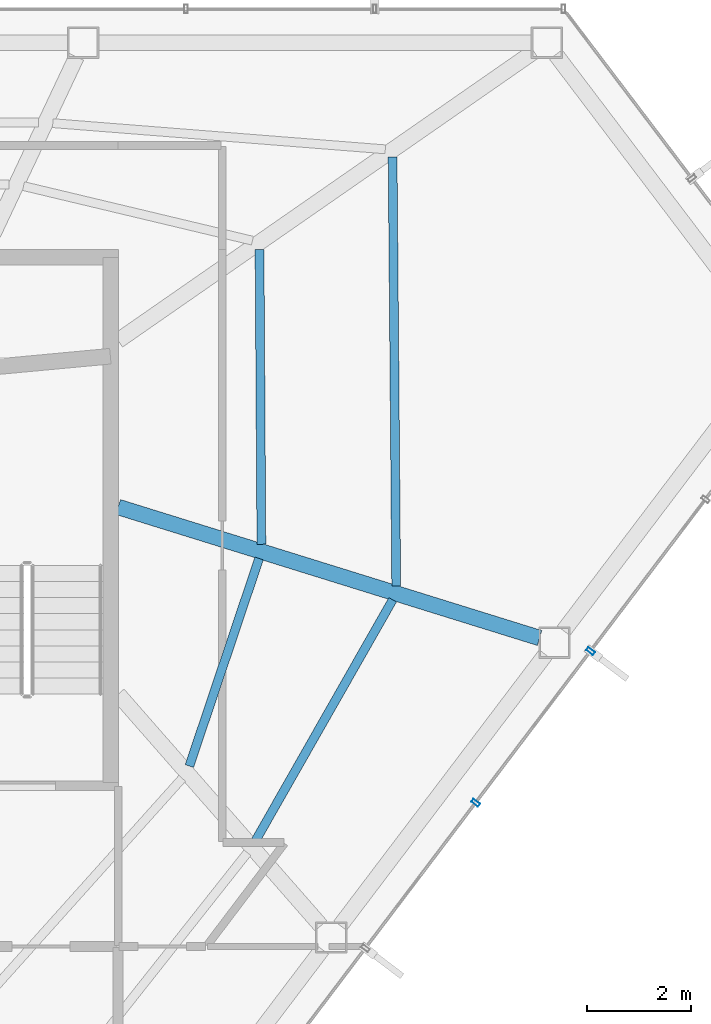
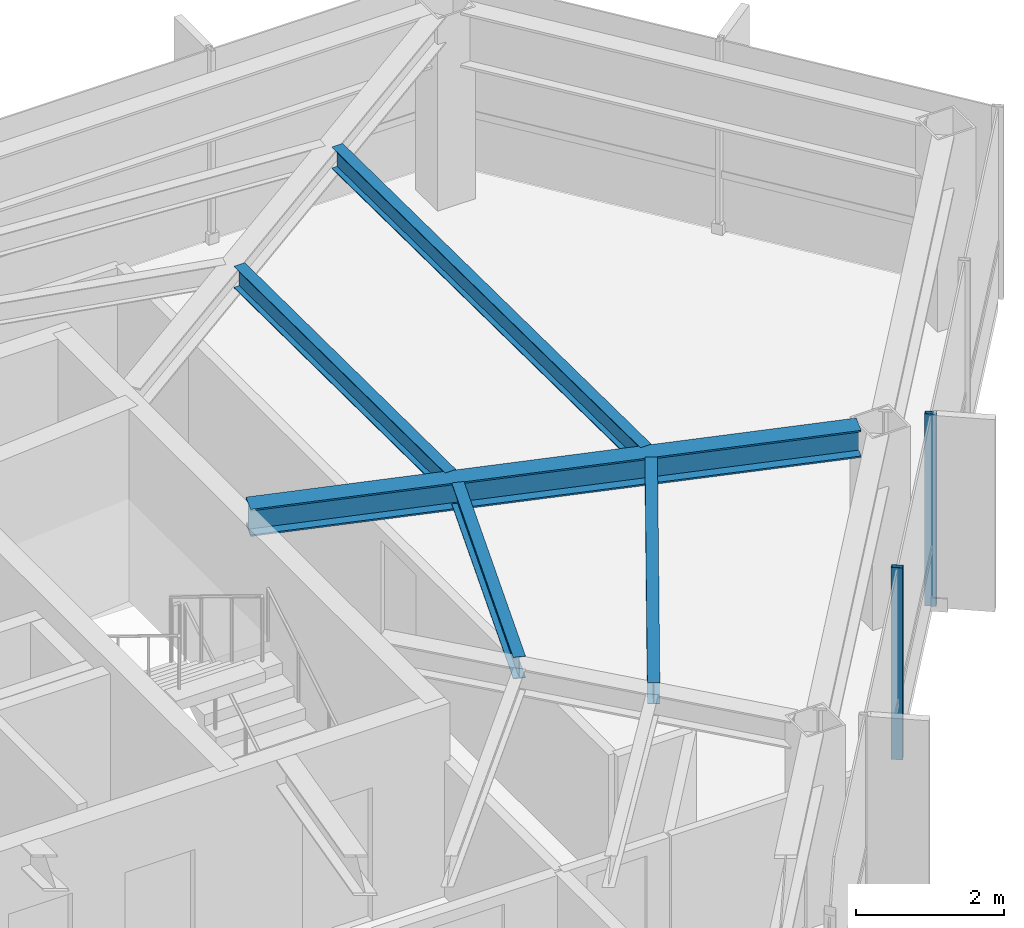
# One storey, part 19 of 27: 5 beams, 2 members, 1 element without a shape of its own.
"""IFC4 building model written with IfcOpenShell, lengths in metres."""

from ifc_helpers import new_model, si_unit, direction, frame, origin, origin_2d, place, context, subcontext, project, spatial, hollow_rectangle, i_section, extrude, material, layer, layer_set, material_profile, profile_set, type_object, element, aggregate, save


model = new_model("IFC4")

# Units and contexts
model_context = context("Model", 3, precision=1e-05, world=origin(), true_north=direction((0.0, 1.0)))
body_context = subcontext(model_context, "Body", "Model", "MODEL_VIEW")
ifc_project = project(units=[si_unit("LENGTHUNIT", "METRE"), si_unit("AREAUNIT", "SQUARE_METRE"), si_unit("VOLUMEUNIT", "CUBIC_METRE"), si_unit("PLANEANGLEUNIT", "RADIAN"), si_unit("MASSUNIT", "GRAM", prefix="KILO")], contexts=[model_context])

# Site, building, storey
site_placement = place(None, origin())
site = spatial("IfcSite", under=ifc_project, at=site_placement, CompositionType="ELEMENT")
building_placement = place(site_placement, origin())
building = spatial("IfcBuilding", under=site, at=building_placement, Name="Zarrinselat Tower", CompositionType="ELEMENT")
storey_placement = place(building_placement, frame((0.0, 0.0, 232.56005859375)))
storey = spatial("IfcBuildingStorey", under=building, at=storey_placement, Name="L58", CompositionType="ELEMENT", Elevation=232.56005859375)

# Beams
ifc_material_1 = material(Name="Steel S355J2", Category="steel")
ifc_material_profile_1 = material_profile(ifc_material_1, i_section(OverallWidth=0.300048828125, OverallDepth=0.449951171875, WebThickness=0.013916015625, FlangeThickness=0.02587890625, at=origin_2d()), Name="HEB 450")
ifc_profile_set_1 = profile_set([ifc_material_profile_1], Name="Steel S355J2")
beam_type_1 = type_object("IfcBeamType", Name="BM-HEB450", PredefinedType="BEAM", material=ifc_profile_set_1)
beam_1_placement = place(storey_placement, frame((48.35009765625, 38.60009765625, 2.954833984375), z_axis=(0.954930921027, -0.296828125463, 0.0), x_axis=(0.296828125463, 0.954930921027, 0.0)))
element("IfcBeam", 1, at=beam_1_placement, inside=storey, type_object=beam_type_1, Name="L58 Radial Primary Girder RG14", PredefinedType="BEAM", context=body_context, shape_type="SweptSolid", body=[
    extrude(i_section(OverallWidth=0.300048828125, OverallDepth=0.449951171875, WebThickness=0.013916015625, FlangeThickness=0.02587890625, at=origin_2d()), origin(), (0.0, 0.0, 1.0), 8.485595703125),
])
ifc_material_2 = material(Name="Steel S355J2", Category="steel")
ifc_material_profile_2 = material_profile(ifc_material_2, i_section(OverallWidth=0.169921875, OverallDepth=0.360107421875, WebThickness=0.008056640625, FlangeThickness=0.0126953125, at=origin_2d()), Name="IPE 360")
ifc_profile_set_2 = profile_set([ifc_material_profile_2], Name="Steel S355J2")
beam_type_2 = type_object("IfcBeamType", Name="BM-IPE360", PredefinedType="JOIST", material=ifc_profile_set_2)
beam_2_placement = place(storey_placement, frame((50.99169921875, 32.1845703125, 3.0), z_axis=(0.49480643007, 0.869003220225, 0.0), x_axis=(-0.869003220225, 0.49480643007, 0.0)))
element("IfcBeam", 2, at=beam_2_placement, inside=storey, type_object=beam_type_2, Name="L58 Composite Floor Joist 4-1", PredefinedType="JOIST", context=body_context, shape_type="SweptSolid", body=[
    extrude(i_section(OverallWidth=0.169921875, OverallDepth=0.360107421875, WebThickness=0.008056640625, FlangeThickness=0.0126953125, at=origin_2d()), origin(), (0.0, 0.0, 1.0), 5.329833984375),
])
beam_3_placement = place(storey_placement, frame((49.7197265625, 33.61962890625, 3.0), z_axis=(0.318436015028, 0.947944357192, 0.0), x_axis=(-0.947944357192, 0.318436015028, 0.0)))
element("IfcBeam", 3, at=beam_3_placement, inside=storey, type_object=beam_type_2, Name="L58 Composite Floor Joist 4-2", PredefinedType="JOIST", context=body_context, shape_type="SweptSolid", body=[
    extrude(i_section(OverallWidth=0.169921875, OverallDepth=0.360107421875, WebThickness=0.008056640625, FlangeThickness=0.0126953125, at=origin_2d()), origin(), (0.0, 0.0, 1.0), 4.210693359375),
])
beam_4_placement = place(storey_placement, frame((53.62744140625, 45.32666015625, 3.0), z_axis=(0.008434647268, -0.99996442773, 0.0), x_axis=(0.99996442773, 0.008434647268, 0.0)))
element("IfcBeam", 4, at=beam_4_placement, inside=storey, type_object=beam_type_2, Name="L58 Composite Floor Joist 5-1", PredefinedType="JOIST", context=body_context, shape_type="SweptSolid", body=[
    extrude(i_section(OverallWidth=0.169921875, OverallDepth=0.360107421875, WebThickness=0.008056640625, FlangeThickness=0.0126953125, at=origin_2d()), origin(), (0.0, 0.0, 1.0), 8.249267578125),
])
beam_5_placement = place(storey_placement, frame((51.06884765625, 43.548828125, 3.0), z_axis=(0.006248800596, -0.999980476055, 0.0), x_axis=(0.999980476055, 0.006248800596, 0.0)))
element("IfcBeam", 5, at=beam_5_placement, inside=storey, type_object=beam_type_2, Name="L58 Composite Floor Joist 5-2", PredefinedType="JOIST", context=body_context, shape_type="SweptSolid", body=[
    extrude(i_section(OverallWidth=0.169921875, OverallDepth=0.360107421875, WebThickness=0.008056640625, FlangeThickness=0.0126953125, at=origin_2d()), origin(), (0.0, 0.0, 1.0), 5.6650390625),
])

# Curtain wall, members
ifc_material_3 = material(Name="Extruded Aluminium Alloy EN AW-6063 T6", Category="aluminium")
ifc_layer = layer(ifc_material_3, 0.169921875)
ifc_layer_set = layer_set([ifc_layer], Name="Extruded Aluminium Alloy EN AW-6063 T6")
curtain_wall_type = type_object("IfcCurtainWallType", Name="CWS-RES", PredefinedType="NOTDEFINED", material=ifc_layer_set)
curtain_wall_placement = place(storey_placement, origin())
curtain_wall = element("IfcCurtainWall", 6, at=curtain_wall_placement, inside=storey, type_object=curtain_wall_type, Name="L58 Unitised Curtain Wall CW-L58-E05", PredefinedType="NOTDEFINED")
ifc_material_4 = material(Name="Extruded Aluminium Alloy EN AW-6063 T6", Category="aluminium")
ifc_material_profile_3 = material_profile(ifc_material_4, hollow_rectangle(XDim=0.070068359375, YDim=0.159912109375, WallThickness=0.00390625, at=origin_2d()), Name="RHS 160x70x4")
ifc_profile_set_3 = profile_set([ifc_material_profile_3], Name="Extruded Aluminium Alloy EN AW-6063 T6")
member_type = type_object("IfcMemberType", Name="MEM-CW-MUL2", PredefinedType="MULLION", material=ifc_profile_set_3)
member_1_placement = place(storey_placement, frame((55.22509765625, 32.913330078125, 0.0), z_axis=(0.0, 0.0, 1.0), x_axis=(0.603858872188, 0.797091251037, 0.0)))
member_1 = element("IfcMember", 7, at=member_1_placement, type_object=member_type, Name="CW-L58-E05 Mullion 6", PredefinedType="MULLION", context=body_context, shape_type="SweptSolid", body=[
    extrude(hollow_rectangle(XDim=0.070068359375, YDim=0.159912109375, WallThickness=0.00390625, at=origin_2d()), origin(), (0.0, 0.0, 1.0), 3.179931640625),
])
member_2_placement = place(storey_placement, frame((57.43408203125, 35.829345703125, 0.0), z_axis=(0.0, 0.0, 1.0), x_axis=(0.603858872188, 0.797091251037, 0.0)))
member_2 = element("IfcMember", 8, at=member_2_placement, type_object=member_type, Name="CW-L58-E05 Mullion 7", PredefinedType="MULLION", context=body_context, shape_type="SweptSolid", body=[
    extrude(hollow_rectangle(XDim=0.070068359375, YDim=0.159912109375, WallThickness=0.00390625, at=origin_2d()), origin(), (0.0, 0.0, 1.0), 3.179931640625),
])
aggregate(curtain_wall, [member_1, member_2])

save(model, "model.ifc")
